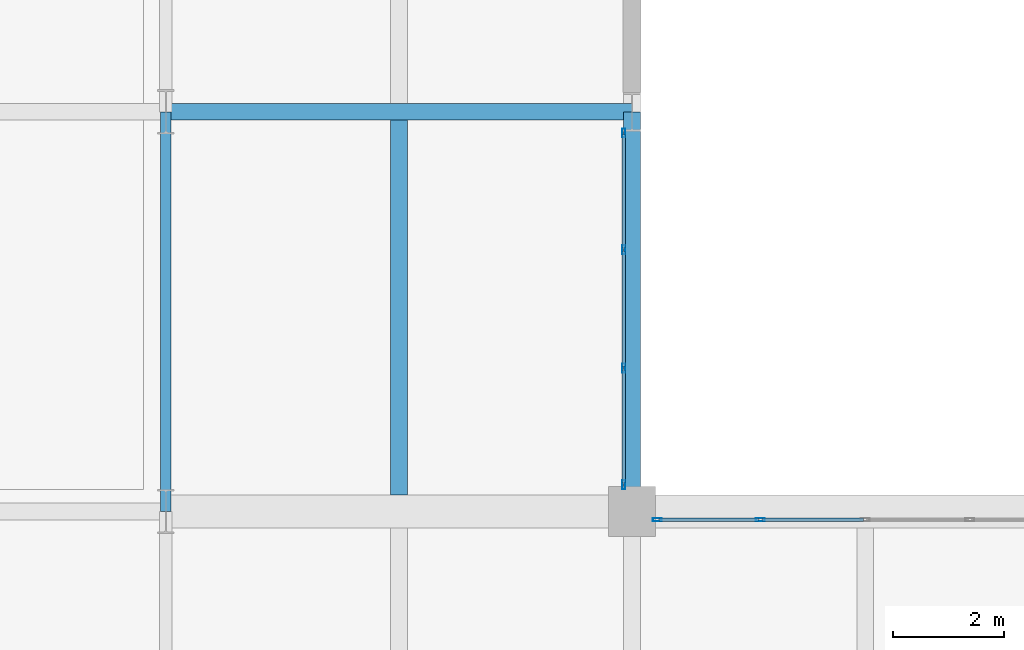
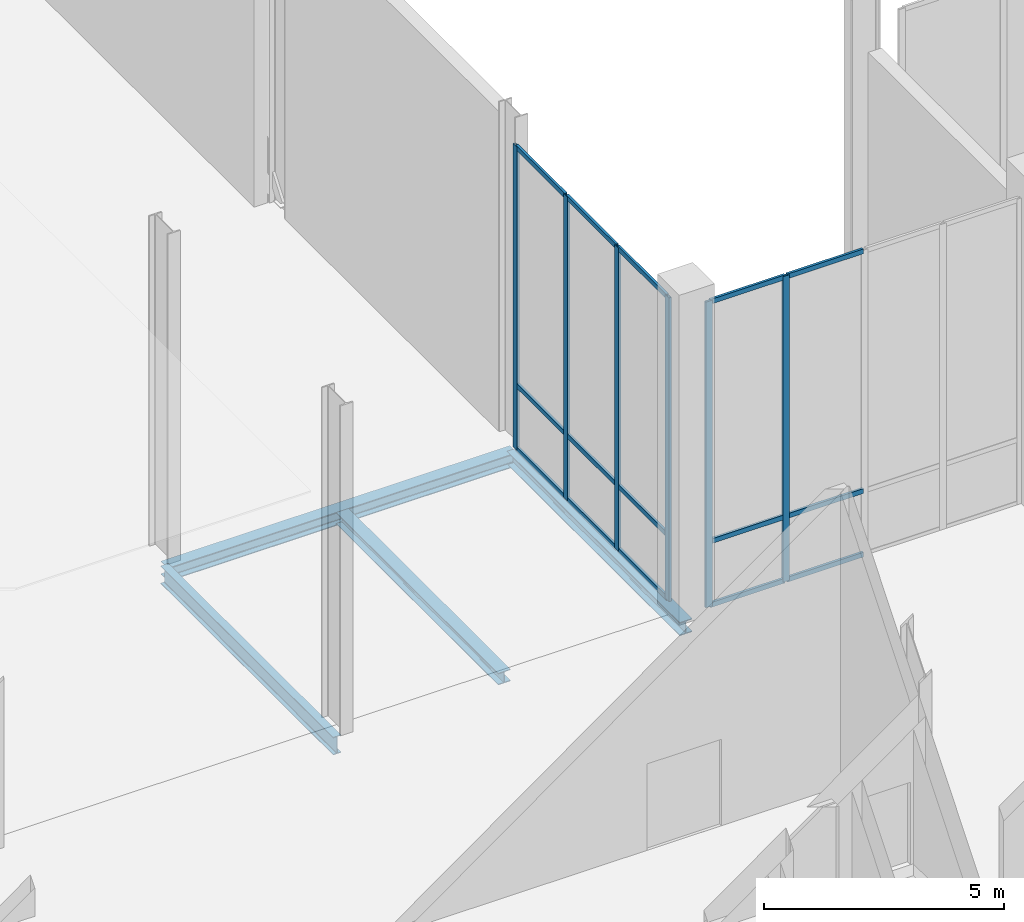
# One storey, part 26 of 131: 21 members, 4 beams, 2 elements without a shape of their own.
"""IFC4 building model written with IfcOpenShell, lengths in metres."""

from ifc_helpers import new_model, si_unit, direction, frame, origin, origin_2d, place, context, subcontext, project, spatial, hollow_rectangle, i_section, extrude, material, material_profile, profile_set, type_object, element, aggregate, save


model = new_model("IFC4")

# Units and contexts
model_context = context("Model", 3, precision=1e-05, world=origin(), true_north=direction((0.0, 1.0)))
body_context = subcontext(model_context, "Body", "Model", "MODEL_VIEW")
ifc_project = project(units=[si_unit("LENGTHUNIT", "METRE"), si_unit("AREAUNIT", "SQUARE_METRE"), si_unit("VOLUMEUNIT", "CUBIC_METRE"), si_unit("PLANEANGLEUNIT", "RADIAN"), si_unit("MASSUNIT", "GRAM", prefix="KILO")], contexts=[model_context])

# Site, building, storey
site_placement = place(None, origin())
site = spatial("IfcSite", under=ifc_project, at=site_placement, CompositionType="ELEMENT")
building_placement = place(site_placement, origin())
building = spatial("IfcBuilding", under=site, at=building_placement, Name="Veltarok Museum of Natural Sciences", CompositionType="ELEMENT")
storey_placement = place(building_placement, origin())
storey = spatial("IfcBuildingStorey", under=building, at=storey_placement, Name="L00", CompositionType="ELEMENT", Elevation=0.0)

# Curtain wall, members
ifc_material_1 = material(Name="Low-iron triple insulated glass", Category="glass")
curtain_wall_type_1 = type_object("IfcCurtainWallType", Name="Curtain Wall System CW-V2E-L00-1-640x773 (CW-V2E L00 640x773cm)", PredefinedType="NOTDEFINED", material=ifc_material_1)
curtain_wall_1_placement = place(storey_placement, origin())
curtain_wall_1 = element("IfcCurtainWall", 1, at=curtain_wall_1_placement, inside=storey, type_object=curtain_wall_type_1, Name="Curtain Wall CW-V2E-L00-1-640x773 CW-0125", PredefinedType="NOTDEFINED")
ifc_material_2 = material(Name="Thermally broken anodised aluminium", Category="aluminium")
ifc_material_profile_1 = material_profile(ifc_material_2, hollow_rectangle(XDim=0.06005859375, YDim=0.1201171875, WallThickness=0.0048828125, at=origin_2d()), Name="CW TRANSOM 60x120x5")
ifc_profile_set_1 = profile_set([ifc_material_profile_1], Name="Thermally broken anodised aluminium")
member_type_1 = type_object("IfcMemberType", Name="Curtain Wall Horizontal Transom 60x120x5", PredefinedType="USERDEFINED", material=ifc_profile_set_1)
member_1_placement = place(storey_placement, frame((98.64990234375, 19.7099609375, 0.028076171875), z_axis=(0.0, 1.0, 0.0), x_axis=(-1.0, 0.0, 0.0)))
member_1 = element("IfcMember", 2, at=member_1_placement, type_object=member_type_1, Name="CW-V2E-L00-1-640x773 transom 1.1", ObjectType="TRANSOM", PredefinedType="USERDEFINED", context=body_context, shape_type="SweptSolid", body=[
    extrude(hollow_rectangle(XDim=0.06005859375, YDim=0.1201171875, WallThickness=0.0048828125, at=origin_2d()), origin(), (0.0, 0.0, 1.0), 2.04345703125),
])
member_2_placement = place(storey_placement, frame((98.64990234375, 19.7099609375, 1.64794921875), z_axis=(0.0, 1.0, 0.0), x_axis=(-1.0, 0.0, 0.0)))
member_2 = element("IfcMember", 3, at=member_2_placement, type_object=member_type_1, Name="CW-V2E-L00-1-640x773 transom 1.2", ObjectType="TRANSOM", PredefinedType="USERDEFINED", context=body_context, shape_type="SweptSolid", body=[
    extrude(hollow_rectangle(XDim=0.06005859375, YDim=0.1201171875, WallThickness=0.0048828125, at=origin_2d()), origin(), (0.0, 0.0, 1.0), 2.04345703125),
])
member_3_placement = place(storey_placement, frame((98.64990234375, 19.7099609375, 7.699951171875), z_axis=(0.0, 1.0, 0.0), x_axis=(-1.0, 0.0, 0.0)))
member_3 = element("IfcMember", 4, at=member_3_placement, type_object=member_type_1, Name="CW-V2E-L00-1-640x773 transom 1.3", ObjectType="TRANSOM", PredefinedType="USERDEFINED", context=body_context, shape_type="SweptSolid", body=[
    extrude(hollow_rectangle(XDim=0.06005859375, YDim=0.1201171875, WallThickness=0.0048828125, at=origin_2d()), origin(), (0.0, 0.0, 1.0), 2.04345703125),
])
member_4_placement = place(storey_placement, frame((98.64990234375, 21.813232421875, 0.028076171875), z_axis=(0.0, 1.0, 0.0), x_axis=(-1.0, 0.0, 0.0)))
member_4 = element("IfcMember", 5, at=member_4_placement, type_object=member_type_1, Name="CW-V2E-L00-1-640x773 transom 2.1", ObjectType="TRANSOM", PredefinedType="USERDEFINED", context=body_context, shape_type="SweptSolid", body=[
    extrude(hollow_rectangle(XDim=0.06005859375, YDim=0.1201171875, WallThickness=0.0048828125, at=origin_2d()), origin(), (0.0, 0.0, 1.0), 2.073486328125),
])
member_5_placement = place(storey_placement, frame((98.64990234375, 21.813232421875, 1.64794921875), z_axis=(0.0, 1.0, 0.0), x_axis=(-1.0, 0.0, 0.0)))
member_5 = element("IfcMember", 6, at=member_5_placement, type_object=member_type_1, Name="CW-V2E-L00-1-640x773 transom 2.2", ObjectType="TRANSOM", PredefinedType="USERDEFINED", context=body_context, shape_type="SweptSolid", body=[
    extrude(hollow_rectangle(XDim=0.06005859375, YDim=0.1201171875, WallThickness=0.0048828125, at=origin_2d()), origin(), (0.0, 0.0, 1.0), 2.073486328125),
])
member_6_placement = place(storey_placement, frame((98.64990234375, 21.813232421875, 7.699951171875), z_axis=(0.0, 1.0, 0.0), x_axis=(-1.0, 0.0, 0.0)))
member_6 = element("IfcMember", 7, at=member_6_placement, type_object=member_type_1, Name="CW-V2E-L00-1-640x773 transom 2.3", ObjectType="TRANSOM", PredefinedType="USERDEFINED", context=body_context, shape_type="SweptSolid", body=[
    extrude(hollow_rectangle(XDim=0.06005859375, YDim=0.1201171875, WallThickness=0.0048828125, at=origin_2d()), origin(), (0.0, 0.0, 1.0), 2.073486328125),
])
member_7_placement = place(storey_placement, frame((98.64990234375, 23.94677734375, 0.028076171875), z_axis=(0.0, 1.0, 0.0), x_axis=(-1.0, 0.0, 0.0)))
member_7 = element("IfcMember", 8, at=member_7_placement, type_object=member_type_1, Name="CW-V2E-L00-1-640x773 transom 3.1", ObjectType="TRANSOM", PredefinedType="USERDEFINED", context=body_context, shape_type="SweptSolid", body=[
    extrude(hollow_rectangle(XDim=0.06005859375, YDim=0.1201171875, WallThickness=0.0048828125, at=origin_2d()), origin(), (0.0, 0.0, 1.0), 2.043212890625),
])
member_8_placement = place(storey_placement, frame((98.64990234375, 23.94677734375, 1.64794921875), z_axis=(0.0, 1.0, 0.0), x_axis=(-1.0, 0.0, 0.0)))
member_8 = element("IfcMember", 9, at=member_8_placement, type_object=member_type_1, Name="CW-V2E-L00-1-640x773 transom 3.2", ObjectType="TRANSOM", PredefinedType="USERDEFINED", context=body_context, shape_type="SweptSolid", body=[
    extrude(hollow_rectangle(XDim=0.06005859375, YDim=0.1201171875, WallThickness=0.0048828125, at=origin_2d()), origin(), (0.0, 0.0, 1.0), 2.043212890625),
])
member_9_placement = place(storey_placement, frame((98.64990234375, 23.94677734375, 7.699951171875), z_axis=(0.0, 1.0, 0.0), x_axis=(-1.0, 0.0, 0.0)))
member_9 = element("IfcMember", 10, at=member_9_placement, type_object=member_type_1, Name="CW-V2E-L00-1-640x773 transom 3.3", ObjectType="TRANSOM", PredefinedType="USERDEFINED", context=body_context, shape_type="SweptSolid", body=[
    extrude(hollow_rectangle(XDim=0.06005859375, YDim=0.1201171875, WallThickness=0.0048828125, at=origin_2d()), origin(), (0.0, 0.0, 1.0), 2.043212890625),
])

curtain_wall_type_2 = type_object("IfcCurtainWallType", Name="Curtain Wall System CW-V1CN-L00-0-755x778 (CW-V1CN L00 755x778cm)", PredefinedType="NOTDEFINED", material=ifc_material_1)
curtain_wall_2_placement = place(storey_placement, origin())
curtain_wall_2 = element("IfcCurtainWall", 11, at=curtain_wall_2_placement, inside=storey, type_object=curtain_wall_type_2, Name="Curtain Wall CW-V1CN-L00-0-755x778 CW-0156", PredefinedType="NOTDEFINED")
member_10_placement = place(storey_placement, frame((102.969970703125, 19.050048828125, 0.028076171875), z_axis=(-1.0, 0.0, 0.0), x_axis=(0.0, -1.0, 0.0)))
member_10 = element("IfcMember", 12, at=member_10_placement, type_object=member_type_1, Name="CW-V1CN-L00-0-755x778 transom 3.1", ObjectType="TRANSOM", PredefinedType="USERDEFINED", context=body_context, shape_type="SweptSolid", body=[
    extrude(hollow_rectangle(XDim=0.06005859375, YDim=0.1201171875, WallThickness=0.0048828125, at=origin_2d()), origin(), (0.0, 0.0, 1.0), 1.827392578125),
])
member_11_placement = place(storey_placement, frame((102.969970703125, 19.050048828125, 1.64794921875), z_axis=(-1.0, 0.0, 0.0), x_axis=(0.0, -1.0, 0.0)))
member_11 = element("IfcMember", 13, at=member_11_placement, type_object=member_type_1, Name="CW-V1CN-L00-0-755x778 transom 3.2", ObjectType="TRANSOM", PredefinedType="USERDEFINED", context=body_context, shape_type="SweptSolid", body=[
    extrude(hollow_rectangle(XDim=0.06005859375, YDim=0.1201171875, WallThickness=0.0048828125, at=origin_2d()), origin(), (0.0, 0.0, 1.0), 1.827392578125),
])
member_12_placement = place(storey_placement, frame((102.969970703125, 19.050048828125, 7.75), z_axis=(-1.0, 0.0, 0.0), x_axis=(0.0, -1.0, 0.0)))
member_12 = element("IfcMember", 14, at=member_12_placement, type_object=member_type_1, Name="CW-V1CN-L00-0-755x778 transom 3.3", ObjectType="TRANSOM", PredefinedType="USERDEFINED", context=body_context, shape_type="SweptSolid", body=[
    extrude(hollow_rectangle(XDim=0.06005859375, YDim=0.1201171875, WallThickness=0.0048828125, at=origin_2d()), origin(), (0.0, 0.0, 1.0), 1.827392578125),
])
member_13_placement = place(storey_placement, frame((101.08251953125, 19.050048828125, 0.028076171875), z_axis=(-1.0, 0.0, 0.0), x_axis=(0.0, -1.0, 0.0)))
member_13 = element("IfcMember", 15, at=member_13_placement, type_object=member_type_1, Name="CW-V1CN-L00-0-755x778 transom 4.1", ObjectType="TRANSOM", PredefinedType="USERDEFINED", context=body_context, shape_type="SweptSolid", body=[
    extrude(hollow_rectangle(XDim=0.06005859375, YDim=0.1201171875, WallThickness=0.0048828125, at=origin_2d()), origin(), (0.0, 0.0, 1.0), 1.797607421875),
])
member_14_placement = place(storey_placement, frame((101.08251953125, 19.050048828125, 1.64794921875), z_axis=(-1.0, 0.0, 0.0), x_axis=(0.0, -1.0, 0.0)))
member_14 = element("IfcMember", 16, at=member_14_placement, type_object=member_type_1, Name="CW-V1CN-L00-0-755x778 transom 4.2", ObjectType="TRANSOM", PredefinedType="USERDEFINED", context=body_context, shape_type="SweptSolid", body=[
    extrude(hollow_rectangle(XDim=0.06005859375, YDim=0.1201171875, WallThickness=0.0048828125, at=origin_2d()), origin(), (0.0, 0.0, 1.0), 1.797607421875),
])
member_15_placement = place(storey_placement, frame((101.08251953125, 19.050048828125, 7.75), z_axis=(-1.0, 0.0, 0.0), x_axis=(0.0, -1.0, 0.0)))
member_15 = element("IfcMember", 17, at=member_15_placement, type_object=member_type_1, Name="CW-V1CN-L00-0-755x778 transom 4.3", ObjectType="TRANSOM", PredefinedType="USERDEFINED", context=body_context, shape_type="SweptSolid", body=[
    extrude(hollow_rectangle(XDim=0.06005859375, YDim=0.1201171875, WallThickness=0.0048828125, at=origin_2d()), origin(), (0.0, 0.0, 1.0), 1.797607421875),
])

# Member
ifc_material_profile_2 = material_profile(ifc_material_2, hollow_rectangle(XDim=0.06005859375, YDim=0.159912109375, WallThickness=0.0048828125, at=origin_2d()), Name="CW MULLION 60x160x5")
ifc_profile_set_2 = profile_set([ifc_material_profile_2], Name="Thermally broken anodised aluminium")
member_type_2 = type_object("IfcMemberType", Name="Curtain Wall Vertical Mullion 60x160x5", PredefinedType="MULLION", material=ifc_profile_set_2)
member_16_placement = place(storey_placement, frame((98.64990234375, 19.679931640625, -0.001953125), z_axis=(0.0, 0.0, 1.0), x_axis=(-1.0, 0.0, 0.0)))
member_16 = element("IfcMember", 18, at=member_16_placement, type_object=member_type_2, Name="CW-V2E-L00-1-640x773 mullion 1", PredefinedType="MULLION", context=body_context, shape_type="SweptSolid", body=[
    extrude(hollow_rectangle(XDim=0.06005859375, YDim=0.159912109375, WallThickness=0.0048828125, at=origin_2d()), origin(), (0.0, 0.0, 1.0), 7.73193359375),
])

member_17_placement = place(storey_placement, frame((98.64990234375, 21.783447265625, -0.001953125), z_axis=(0.0, 0.0, 1.0), x_axis=(-1.0, 0.0, 0.0)))
member_17 = element("IfcMember", 19, at=member_17_placement, type_object=member_type_2, Name="CW-V2E-L00-1-640x773 mullion 2", PredefinedType="MULLION", context=body_context, shape_type="SweptSolid", body=[
    extrude(hollow_rectangle(XDim=0.06005859375, YDim=0.159912109375, WallThickness=0.0048828125, at=origin_2d()), origin(), (0.0, 0.0, 1.0), 7.73193359375),
])

member_18_placement = place(storey_placement, frame((98.64990234375, 23.916748046875, -0.001953125), z_axis=(0.0, 0.0, 1.0), x_axis=(-1.0, 0.0, 0.0)))
member_18 = element("IfcMember", 20, at=member_18_placement, type_object=member_type_2, Name="CW-V2E-L00-1-640x773 mullion 3", PredefinedType="MULLION", context=body_context, shape_type="SweptSolid", body=[
    extrude(hollow_rectangle(XDim=0.06005859375, YDim=0.159912109375, WallThickness=0.0048828125, at=origin_2d()), origin(), (0.0, 0.0, 1.0), 7.73193359375),
])

member_19_placement = place(storey_placement, frame((98.64990234375, 26.02001953125, -0.001953125), z_axis=(0.0, 0.0, 1.0), x_axis=(-1.0, 0.0, 0.0)))
member_19 = element("IfcMember", 21, at=member_19_placement, type_object=member_type_2, Name="CW-V2E-L00-1-640x773 mullion 4", PredefinedType="MULLION", context=body_context, shape_type="SweptSolid", body=[
    extrude(hollow_rectangle(XDim=0.06005859375, YDim=0.159912109375, WallThickness=0.0048828125, at=origin_2d()), origin(), (0.0, 0.0, 1.0), 7.73193359375),
])

aggregate(curtain_wall_1, [member_16, member_17, member_18, member_19, member_1, member_2, member_3, member_4, member_5, member_6, member_7, member_8, member_9])

member_20_placement = place(storey_placement, frame((101.112548828125, 19.050048828125, -0.001953125), z_axis=(0.0, 0.0, 1.0), x_axis=(0.0, -1.0, 0.0)))
member_20 = element("IfcMember", 22, at=member_20_placement, type_object=member_type_2, Name="CW-V1CN-L00-0-755x778 mullion 4", PredefinedType="MULLION", context=body_context, shape_type="SweptSolid", body=[
    extrude(hollow_rectangle(XDim=0.06005859375, YDim=0.159912109375, WallThickness=0.0048828125, at=origin_2d()), origin(), (0.0, 0.0, 1.0), 7.781982421875),
])

member_21_placement = place(storey_placement, frame((99.2548828125, 19.050048828125, -0.001953125), z_axis=(0.0, 0.0, 1.0), x_axis=(0.0, -1.0, 0.0)))
member_21 = element("IfcMember", 23, at=member_21_placement, type_object=member_type_2, Name="CW-V1CN-L00-0-755x778 mullion 5", PredefinedType="MULLION", context=body_context, shape_type="SweptSolid", body=[
    extrude(hollow_rectangle(XDim=0.06005859375, YDim=0.159912109375, WallThickness=0.0048828125, at=origin_2d()), origin(), (0.0, 0.0, 1.0), 7.781982421875),
])

aggregate(curtain_wall_2, [member_20, member_21, member_10, member_11, member_12, member_13, member_14, member_15])

# Beams
ifc_material_3 = material(Name="Steel S355J2", Category="steel")
ifc_material_profile_3 = material_profile(ifc_material_3, i_section(OverallWidth=0.18994140625, OverallDepth=0.449951171875, WebThickness=0.009521484375, FlangeThickness=0.0146484375, FilletRadius=0.02099609375, at=origin_2d()), Name="IPE 450")
ifc_profile_set_3 = profile_set([ifc_material_profile_3], Name="Steel S355J2")
beam_type_1 = type_object("IfcBeamType", Name="Laboratory Floor Girder IPE 450", PredefinedType="BEAM", material=ifc_profile_set_3)
beam_1_placement = place(storey_placement, frame((90.39990234375, 19.199951171875, -0.52490234375), z_axis=(0.0, 1.0, 0.0), x_axis=(-1.0, 0.0, 0.0)))
element("IfcBeam", 24, at=beam_1_placement, inside=storey, type_object=beam_type_1, Name="Beam BM-G05 L00 11/C-D", PredefinedType="BEAM", context=body_context, shape_type="SweptSolid", body=[
    extrude(i_section(OverallWidth=0.18994140625, OverallDepth=0.449951171875, WebThickness=0.009521484375, FlangeThickness=0.0146484375, FilletRadius=0.02099609375, at=origin_2d()), origin(), (0.0, 0.0, 1.0), 7.199951171875),
])
ifc_material_profile_4 = material_profile(ifc_material_3, i_section(OverallWidth=0.300048828125, OverallDepth=0.300048828125, WebThickness=0.010986328125, FlangeThickness=0.01904296875, FilletRadius=0.027099609375, at=origin_2d()), Name="HEB 300")
ifc_profile_set_4 = profile_set([ifc_material_profile_4], Name="Steel S355J2")
beam_type_2 = type_object("IfcBeamType", Name="Laboratory Floor Joist HEB 300", PredefinedType="JOIST", material=ifc_profile_set_4)
beam_2_placement = place(storey_placement, frame((94.60009765625, 19.498046875, -0.449951171875), z_axis=(0.0, 1.0, 0.0), x_axis=(-1.0, 0.0, 0.0)))
element("IfcBeam", 25, at=beam_2_placement, inside=storey, type_object=beam_type_2, Name="Secondary Joist BM-J10 L00 11-12/C-D.1", PredefinedType="JOIST", context=body_context, shape_type="SweptSolid", body=[
    extrude(i_section(OverallWidth=0.300048828125, OverallDepth=0.300048828125, WebThickness=0.010986328125, FlangeThickness=0.01904296875, FilletRadius=0.027099609375, at=origin_2d()), origin(), (0.0, 0.0, 1.0), 6.75390625),
])
ifc_material_profile_5 = material_profile(ifc_material_3, i_section(OverallWidth=0.300048828125, OverallDepth=0.340087890625, WebThickness=0.011962890625, FlangeThickness=0.021484375, FilletRadius=0.027099609375, at=origin_2d()), Name="HEB 340")
ifc_profile_set_5 = profile_set([ifc_material_profile_5], Name="Steel S355J2")
beam_type_3 = type_object("IfcBeamType", Name="Perimeter Bridge Spandrel HEB 340", PredefinedType="SPANDREL", material=ifc_profile_set_5)
beam_3_placement = place(storey_placement, frame((90.39990234375, 26.39990234375, -0.469970703125), z_axis=(1.0, 0.0, 0.0), x_axis=(0.0, 1.0, 0.0)))
element("IfcBeam", 26, at=beam_3_placement, inside=storey, type_object=beam_type_3, Name="Beam BM-SP07 L00 11-12/D", PredefinedType="SPANDREL", context=body_context, shape_type="SweptSolid", body=[
    extrude(i_section(OverallWidth=0.300048828125, OverallDepth=0.340087890625, WebThickness=0.011962890625, FlangeThickness=0.021484375, FilletRadius=0.027099609375, at=origin_2d()), origin(), (0.0, 0.0, 1.0), 8.400146484375),
])
beam_4_placement = place(storey_placement, frame((98.800048828125, 19.199951171875, -0.469970703125), z_axis=(0.0, 1.0, 0.0), x_axis=(-1.0, 0.0, 0.0)))
element("IfcBeam", 27, at=beam_4_placement, inside=storey, type_object=beam_type_3, Name="Beam BM-SP07 L00 12/C-D", PredefinedType="SPANDREL", context=body_context, shape_type="SweptSolid", body=[
    extrude(i_section(OverallWidth=0.300048828125, OverallDepth=0.340087890625, WebThickness=0.011962890625, FlangeThickness=0.021484375, FilletRadius=0.027099609375, at=origin_2d()), origin(), (0.0, 0.0, 1.0), 7.199951171875),
])

save(model, "model.ifc")
